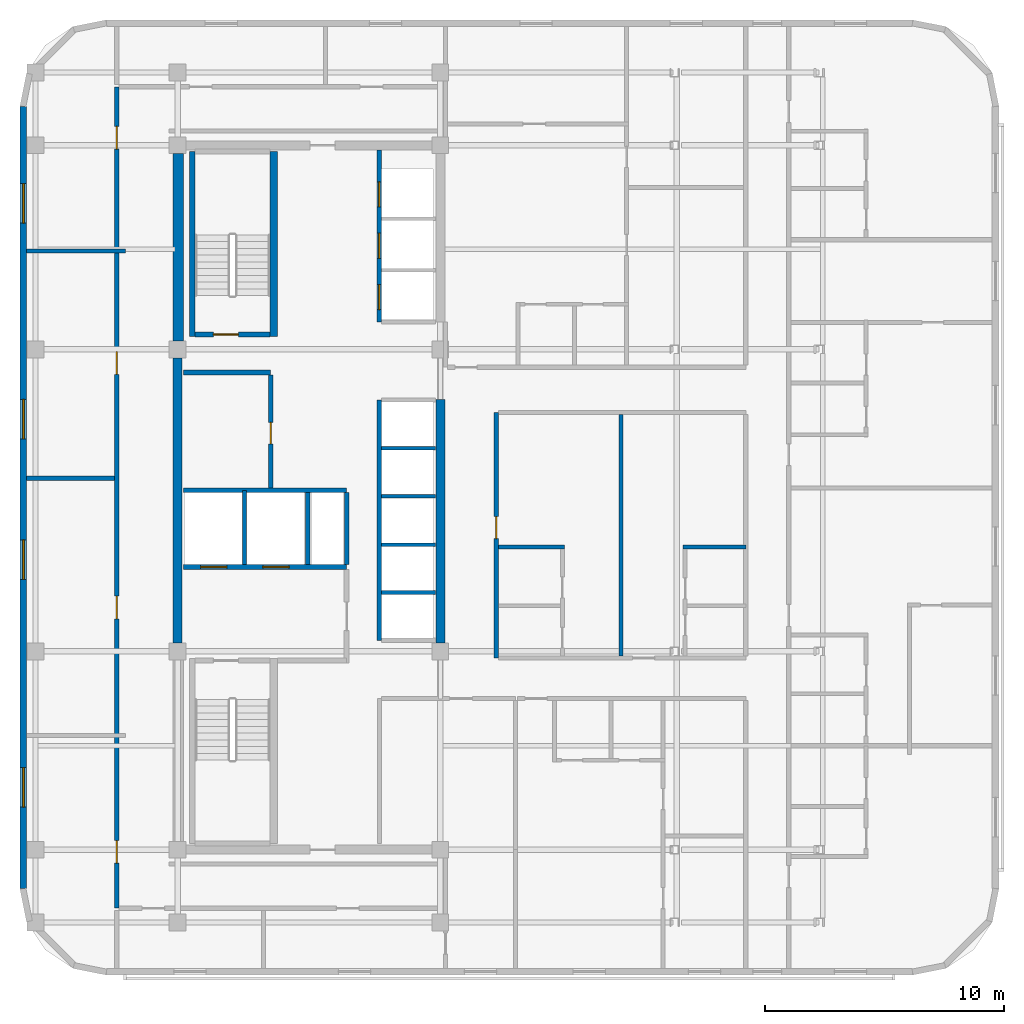
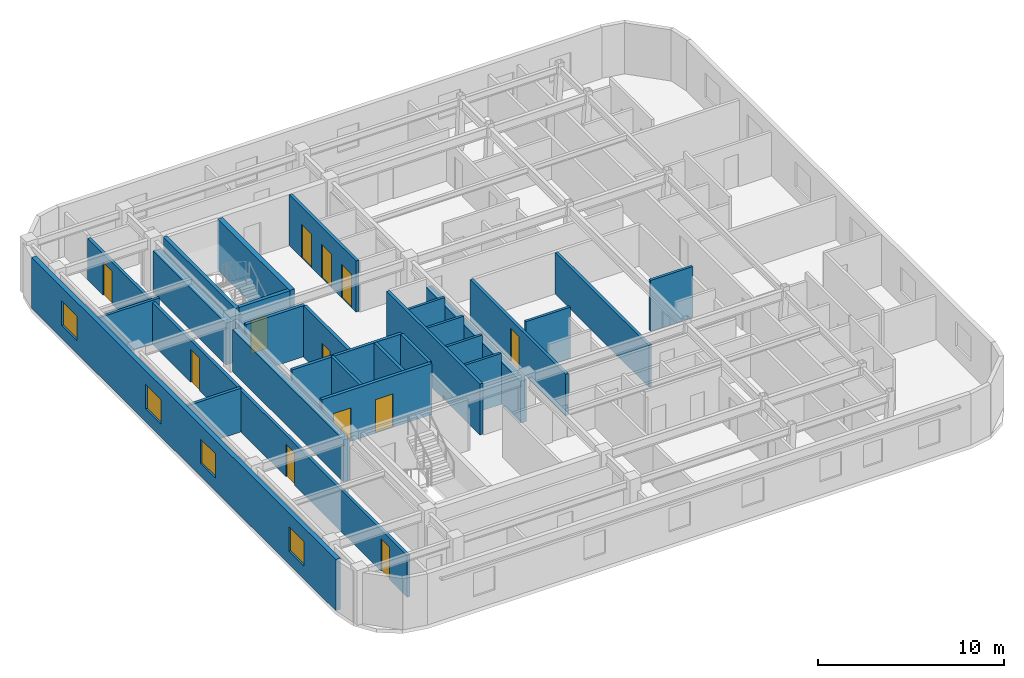
# One storey, part 4 of 10: 27 walls, 12 doors, 4 windows, 16 openings.
"""IFC4 building model written with IfcOpenShell, lengths in metres."""

from ifc_helpers import new_model, si_unit, direction, frame, frame_2d, origin, place, context, subcontext, project, spatial, rectangle, extrude, material, layer, layer_set, type_object, element, fill, save


model = new_model("IFC4")

# Units and contexts
model_context = context("Model", 3, precision=1e-05, world=origin(), true_north=direction((0.0, 1.0)))
body_context = subcontext(model_context, "Body", "Model", "MODEL_VIEW")
ifc_project = project(units=[si_unit("LENGTHUNIT", "METRE"), si_unit("AREAUNIT", "SQUARE_METRE"), si_unit("VOLUMEUNIT", "CUBIC_METRE"), si_unit("PLANEANGLEUNIT", "RADIAN"), si_unit("MASSUNIT", "GRAM", prefix="KILO")], contexts=[model_context])

# Site, building, storey
site_placement = place(None, origin())
site = spatial("IfcSite", under=ifc_project, at=site_placement, CompositionType="ELEMENT")
building_placement = place(site_placement, origin())
building = spatial("IfcBuilding", under=site, at=building_placement, Name="Ochreholt Gables", CompositionType="ELEMENT")
storey_placement = place(building_placement, frame((0.0, 0.0, 144.60009765625)))
storey = spatial("IfcBuildingStorey", under=building, at=storey_placement, Name="L37", CompositionType="ELEMENT", Elevation=144.60009765625)

# Walls
ifc_material_1 = material(Name="Concrete 50 MPa", Category="concrete")
ifc_layer_1 = layer(ifc_material_1, 0.3798828125, Name="Concrete 50 MPa")
ifc_layer_set_1 = layer_set([ifc_layer_1], Name="Concrete 50 MPa")
wall_type_1 = type_object("IfcWallType", Name="WALL-CSW-380", PredefinedType="SHEAR", material=ifc_layer_set_1)
wall_1_placement = place(storey_placement, frame((24.18994140625, 17.89990234375, 0.0), z_axis=(0.0, 0.0, 1.0), x_axis=(0.0, 1.0, 0.0)))
element("IfcWall", 1, at=wall_1_placement, inside=storey, type_object=wall_type_1, Name="L37 Core West Shear Wall WM", PredefinedType="SHEAR", context=body_context, shape_type="SweptSolid", body=[
    extrude(rectangle(XDim=11.9501953125, YDim=0.3798828125, at=frame_2d((5.97509765625, 0.0))), origin(), (0.0, 0.0, 1.0), 2.747802734375),
])
wall_2_placement = place(storey_placement, frame((35.2099609375, 17.89990234375, 0.0), z_axis=(0.0, 0.0, 1.0), x_axis=(0.0, 1.0, 0.0)))
element("IfcWall", 2, at=wall_2_placement, inside=storey, type_object=wall_type_1, Name="L37 Core Central-East Shear Wall", PredefinedType="SHEAR", context=body_context, shape_type="SweptSolid", body=[
    extrude(rectangle(XDim=10.2001953125, YDim=0.3798828125, at=frame_2d((5.10009765625, 0.0))), origin(), (0.0, 0.0, 1.0), 2.747802734375),
])
ifc_material_2 = material(Name="Concrete 60 MPa", Category="concrete")
ifc_layer_2 = layer(ifc_material_2, 0.449951171875, Name="Concrete 60 MPa")
ifc_layer_set_2 = layer_set([ifc_layer_2], Name="Concrete 60 MPa")
wall_type_2 = type_object("IfcWallType", Name="WALL-CSW-450", PredefinedType="SHEAR", material=ifc_layer_set_2)
wall_3_placement = place(storey_placement, frame((24.22509765625, 30.550048828125, 0.0), z_axis=(0.0, 0.0, 1.0), x_axis=(0.0, 1.0, 0.0)))
element("IfcWall", 3, at=wall_3_placement, inside=storey, type_object=wall_type_2, Name="L37 Core West Shear Wall WN", PredefinedType="SHEAR", context=body_context, shape_type="SweptSolid", body=[
    extrude(rectangle(XDim=7.849853515625, YDim=0.449951171875, at=frame_2d((3.9248046875, 0.0))), origin(), (0.0, 0.0, 1.0), 2.747802734375),
])

# Wall, openings, windows
ifc_material_3 = material(Name="Precast concrete 40 MPa", Category="concrete")
ifc_layer_3 = layer(ifc_material_3, 0.280029296875, Name="Precast concrete 40 MPa")
ifc_layer_set_3 = layer_set([ifc_layer_3], Name="Precast concrete 40 MPa")
wall_type_3 = type_object("IfcWallType", Name="WALL-EXT-280", PredefinedType="SOLIDWALL", material=ifc_layer_set_3)
wall_4_placement = place(storey_placement, frame((17.739990234375, 40.3798828125, 0.0), z_axis=(0.0, 0.0, 1.0), x_axis=(0.0, -1.0, 0.0)))
wall_4 = element("IfcWall", 4, at=wall_4_placement, inside=storey, type_object=wall_type_3, Name="L37 West Exterior Wall", PredefinedType="SOLIDWALL", context=body_context, shape_type="SweptSolid", body=[
    extrude(rectangle(XDim=32.759765625, YDim=0.280029296875, at=frame_2d((16.3798828125, 0.0))), origin(), (0.0, 0.0, 1.0), 3.35986328125),
])
opening_1_placement = place(wall_4_placement, frame((27.697509765625, 0.0, 0.85009765625)))
opening_1 = element("IfcOpeningElement", 5, at=opening_1_placement, cuts=wall_4, Name="Opening WN-7", PredefinedType="OPENING", context=body_context, shape_type="SweptSolid", body=[
    extrude(rectangle(XDim=1.64990234375, YDim=1.60009765625, at=frame_2d((0.824951171875, 0.800048828125))), frame((0.0, 0.14990234375, 0.0), z_axis=(0.0, -1.0, 0.0), x_axis=(1.0, 0.0, 0.0)), (0.0, 0.0, 1.0), 0.300048828125),
])
opening_2_placement = place(wall_4_placement, frame((18.159912109375, 0.0, 0.85009765625)))
opening_2 = element("IfcOpeningElement", 6, at=opening_2_placement, cuts=wall_4, Name="Opening WN-7", PredefinedType="OPENING", context=body_context, shape_type="SweptSolid", body=[
    extrude(rectangle(XDim=1.64990234375, YDim=1.60009765625, at=frame_2d((0.824951171875, 0.800048828125))), frame((0.0, 0.14990234375, 0.0), z_axis=(0.0, -1.0, 0.0), x_axis=(1.0, 0.0, 0.0)), (0.0, 0.0, 1.0), 0.300048828125),
])
opening_3_placement = place(wall_4_placement, frame((12.27490234375, 0.0, 0.85009765625)))
opening_3 = element("IfcOpeningElement", 7, at=opening_3_placement, cuts=wall_4, Name="Opening WN-7", PredefinedType="OPENING", context=body_context, shape_type="SweptSolid", body=[
    extrude(rectangle(XDim=1.64990234375, YDim=1.60009765625, at=frame_2d((0.824951171875, 0.800048828125))), frame((0.0, 0.14990234375, 0.0), z_axis=(0.0, -1.0, 0.0), x_axis=(1.0, 0.0, 0.0)), (0.0, 0.0, 1.0), 0.300048828125),
])
opening_4_placement = place(wall_4_placement, frame((3.237548828125, 0.0, 0.85009765625)))
opening_4 = element("IfcOpeningElement", 8, at=opening_4_placement, cuts=wall_4, Name="Opening WN-7", PredefinedType="OPENING", context=body_context, shape_type="SweptSolid", body=[
    extrude(rectangle(XDim=1.64990234375, YDim=1.60009765625, at=frame_2d((0.824951171875, 0.800048828125))), frame((0.0, 0.14990234375, 0.0), z_axis=(0.0, -1.0, 0.0), x_axis=(1.0, 0.0, 0.0)), (0.0, 0.0, 1.0), 0.300048828125),
])
ifc_material_4 = material(Name="Triple-Glazed Thermally Broken Aluminium Window", Category="aluminium")
window_type = type_object("IfcWindowType", Name="WIN-RES-1650", PartitioningType="SINGLE_PANEL", PredefinedType="WINDOW", material=ifc_material_4)
window_1_placement = place(opening_1_placement, origin())
window_1 = element("IfcWindow", 9, at=window_1_placement, inside=storey, type_object=window_type, Name="L37 Window W-EXT-W-L37-1", OverallHeight=1.60009765625, OverallWidth=1.64990234375, PartitioningType="SINGLE_PANEL", PredefinedType="WINDOW", context=body_context, shape_type="SweptSolid", body=[
    extrude(rectangle(XDim=1.64990234375, YDim=1.60009765625, at=frame_2d((0.824951171875, 0.800048828125))), frame((0.0, 0.030029296875, 0.0), z_axis=(0.0, -1.0, 0.0), x_axis=(1.0, 0.0, 0.0)), (0.0, 0.0, 1.0), 0.06005859375),
])
fill(opening_1, window_1)
window_2_placement = place(opening_2_placement, origin())
window_2 = element("IfcWindow", 10, at=window_2_placement, inside=storey, type_object=window_type, Name="L37 Window W-EXT-W-L37-2", OverallHeight=1.60009765625, OverallWidth=1.64990234375, PartitioningType="SINGLE_PANEL", PredefinedType="WINDOW", context=body_context, shape_type="SweptSolid", body=[
    extrude(rectangle(XDim=1.64990234375, YDim=1.60009765625, at=frame_2d((0.824951171875, 0.800048828125))), frame((0.0, 0.030029296875, 0.0), z_axis=(0.0, -1.0, 0.0), x_axis=(1.0, 0.0, 0.0)), (0.0, 0.0, 1.0), 0.06005859375),
])
fill(opening_2, window_2)
window_3_placement = place(opening_3_placement, origin())
window_3 = element("IfcWindow", 11, at=window_3_placement, inside=storey, type_object=window_type, Name="L37 Window W-EXT-W-L37-3", OverallHeight=1.60009765625, OverallWidth=1.64990234375, PartitioningType="SINGLE_PANEL", PredefinedType="WINDOW", context=body_context, shape_type="SweptSolid", body=[
    extrude(rectangle(XDim=1.64990234375, YDim=1.60009765625, at=frame_2d((0.824951171875, 0.800048828125))), frame((0.0, 0.030029296875, 0.0), z_axis=(0.0, -1.0, 0.0), x_axis=(1.0, 0.0, 0.0)), (0.0, 0.0, 1.0), 0.06005859375),
])
fill(opening_3, window_3)
window_4_placement = place(opening_4_placement, origin())
window_4 = element("IfcWindow", 12, at=window_4_placement, inside=storey, type_object=window_type, Name="L37 Window W-EXT-W-L37-4", OverallHeight=1.60009765625, OverallWidth=1.64990234375, PartitioningType="SINGLE_PANEL", PredefinedType="WINDOW", context=body_context, shape_type="SweptSolid", body=[
    extrude(rectangle(XDim=1.64990234375, YDim=1.60009765625, at=frame_2d((0.824951171875, 0.800048828125))), frame((0.0, 0.030029296875, 0.0), z_axis=(0.0, -1.0, 0.0), x_axis=(1.0, 0.0, 0.0)), (0.0, 0.0, 1.0), 0.06005859375),
])
fill(opening_4, window_4)

# Wall, openings, doors
ifc_material_5 = material(Name="Concrete 40 MPa", Category="concrete")
ifc_layer_4 = layer(ifc_material_5, 0.199951171875, Name="Concrete 40 MPa")
ifc_layer_set_4 = layer_set([ifc_layer_4], Name="Concrete 40 MPa")
wall_type_4 = type_object("IfcWallType", Name="WALL-INT-CF200", PredefinedType="STANDARD", material=ifc_layer_set_4)
wall_5_placement = place(storey_placement, frame((24.449951171875, 21.090087890625, 0.0), z_axis=(0.0, 0.0, 1.0), x_axis=(1.0, 0.0, 0.0)))
wall_5 = element("IfcWall", 13, at=wall_5_placement, inside=storey, type_object=wall_type_4, Name="L37 Interior Wall WI-FFN-L37", PredefinedType="STANDARD", context=body_context, shape_type="SweptSolid", body=[
    extrude(rectangle(XDim=6.830078125, YDim=0.199951171875, at=frame_2d((3.4150390625, 0.0))), origin(), (0.0, 0.0, 1.0), 3.35986328125),
])
opening_5_placement = place(wall_5_placement, frame((0.719970703125, 0.0, 0.0)))
opening_5 = element("IfcOpeningElement", 14, at=opening_5_placement, cuts=wall_5, Name="Opening LD-FF", PredefinedType="OPENING", context=body_context, shape_type="SweptSolid", body=[
    extrude(rectangle(XDim=1.10009765625, YDim=2.199951171875, at=frame_2d((0.550048828125, 1.10009765625))), frame((0.0, 0.10986328125, 0.0), z_axis=(0.0, -1.0, 0.0), x_axis=(1.0, 0.0, 0.0)), (0.0, 0.0, 1.0), 0.219970703125),
])
opening_6_placement = place(wall_5_placement, frame((3.320068359375, 0.0, 0.0)))
opening_6 = element("IfcOpeningElement", 15, at=opening_6_placement, cuts=wall_5, Name="Opening LD-FF", PredefinedType="OPENING", context=body_context, shape_type="SweptSolid", body=[
    extrude(rectangle(XDim=1.10009765625, YDim=2.199951171875, at=frame_2d((0.550048828125, 1.10009765625))), frame((0.0, 0.10986328125, 0.0), z_axis=(0.0, -1.0, 0.0), x_axis=(1.0, 0.0, 0.0)), (0.0, 0.0, 1.0), 0.219970703125),
])
ifc_material_6 = material(Name="Stainless Steel", Category="steel")
door_type_1 = type_object("IfcDoorType", Name="DR-LFT-FF1100", OperationType="NOTDEFINED", PredefinedType="DOOR", material=ifc_material_6)
door_1_placement = place(opening_5_placement, origin())
door_1 = element("IfcDoor", 16, at=door_1_placement, inside=storey, type_object=door_type_1, Name="L37 Door LD-FF1-L37", OperationType="SLIDING_TO_LEFT", OverallHeight=2.199951171875, OverallWidth=1.10009765625, PredefinedType="DOOR", context=body_context, shape_type="SweptSolid", body=[
    extrude(rectangle(XDim=1.10009765625, YDim=2.199951171875, at=frame_2d((0.550048828125, 1.10009765625))), frame((0.0, 0.02490234375, 0.0), z_axis=(0.0, -1.0, 0.0), x_axis=(1.0, 0.0, 0.0)), (0.0, 0.0, 1.0), 0.050048828125),
])
fill(opening_5, door_1)
door_2_placement = place(opening_6_placement, origin())
door_2 = element("IfcDoor", 17, at=door_2_placement, inside=storey, type_object=door_type_1, Name="L37 Door LD-FF2-L37", OperationType="SLIDING_TO_LEFT", OverallHeight=2.199951171875, OverallWidth=1.10009765625, PredefinedType="DOOR", context=body_context, shape_type="SweptSolid", body=[
    extrude(rectangle(XDim=1.10009765625, YDim=2.199951171875, at=frame_2d((0.550048828125, 1.10009765625))), frame((0.0, 0.02490234375, 0.0), z_axis=(0.0, -1.0, 0.0), x_axis=(1.0, 0.0, 0.0)), (0.0, 0.0, 1.0), 0.050048828125),
])
fill(opening_6, door_2)

# Wall
wall_6_placement = place(storey_placement, frame((24.449951171875, 29.239990234375, 0.0), z_axis=(0.0, 0.0, 1.0), x_axis=(1.0, 0.0, 0.0)))
element("IfcWall", 18, at=wall_6_placement, inside=storey, type_object=wall_type_4, Name="L37 Interior Wall WI-SRVN-L37", PredefinedType="STANDARD", context=body_context, shape_type="SweptSolid", body=[
    extrude(rectangle(XDim=3.650146484375, YDim=0.199951171875, at=frame_2d((1.8251953125, 0.0))), origin(), (0.0, 0.0, 1.0), 3.35986328125),
])

# Wall, opening, door
wall_7_placement = place(storey_placement, frame((28.10009765625, 24.389892578125, 0.0), z_axis=(0.0, 0.0, 1.0), x_axis=(0.0, 1.0, 0.0)))
wall_7 = element("IfcWall", 19, at=wall_7_placement, inside=storey, type_object=wall_type_4, Name="L37 Interior Wall WI-SRVE-L37", PredefinedType="STANDARD", context=body_context, shape_type="SweptSolid", body=[
    extrude(rectangle(XDim=4.75, YDim=0.199951171875, at=frame_2d((2.375, 0.0))), origin(), (0.0, 0.0, 1.0), 3.35986328125),
])
opening_7_placement = place(wall_7_placement, frame((1.860107421875, 0.0, 0.0)))
opening_7 = element("IfcOpeningElement", 20, at=opening_7_placement, cuts=wall_7, Name="Opening D-SV1", PredefinedType="OPENING", context=body_context, shape_type="SweptSolid", body=[
    extrude(rectangle(XDim=0.89990234375, YDim=2.10009765625, at=frame_2d((0.449951171875, 1.050048828125))), frame((0.0, 0.10986328125, 0.0), z_axis=(0.0, -1.0, 0.0), x_axis=(1.0, 0.0, 0.0)), (0.0, 0.0, 1.0), 0.219970703125),
])
ifc_material_7 = material(Name="Hollow Metal Steel", Category="steel")
door_type_2 = type_object("IfcDoorType", Name="DR-INT-SRV900", OperationType="NOTDEFINED", PredefinedType="DOOR", material=ifc_material_7)
door_3_placement = place(opening_7_placement, origin())
door_3 = element("IfcDoor", 21, at=door_3_placement, inside=storey, type_object=door_type_2, Name="L37 Door D-SRV1-L37", OperationType="SINGLE_SWING_LEFT", OverallHeight=2.10009765625, OverallWidth=0.89990234375, PredefinedType="DOOR", context=body_context, shape_type="SweptSolid", body=[
    extrude(rectangle(XDim=0.89990234375, YDim=2.10009765625, at=frame_2d((0.449951171875, 1.050048828125))), frame((0.0, 0.02490234375, 0.0), z_axis=(0.0, -1.0, 0.0), x_axis=(1.0, 0.0, 0.0)), (0.0, 0.0, 1.0), 0.050048828125),
])
fill(opening_7, door_3)

ifc_material_8 = material(Name="Fire-Rated Gypsum Acoustic Partition", Category="gypsum")
ifc_layer_5 = layer(ifc_material_8, 0.179931640625, Name="Fire-Rated Gypsum Acoustic Partition")
ifc_layer_set_5 = layer_set([ifc_layer_5], Name="Fire-Rated Gypsum Acoustic Partition")
wall_type_5 = type_object("IfcWallType", Name="WALL-INT-CR180", PredefinedType="STANDARD", material=ifc_layer_set_5)
wall_8_placement = place(storey_placement, frame((37.550048828125, 17.280029296875, 0.0), z_axis=(0.0, 0.0, 1.0), x_axis=(0.0, 1.0, 0.0)))
wall_8 = element("IfcWall", 22, at=wall_8_placement, inside=storey, type_object=wall_type_5, Name="L37 Interior Wall WI-C2EM-L37", PredefinedType="STANDARD", context=body_context, shape_type="SweptSolid", body=[
    extrude(rectangle(XDim=10.280029296875, YDim=0.179931640625, at=frame_2d((5.14013671875, 0.0))), origin(), (0.0, 0.0, 1.0), 2.72998046875),
])
opening_8_placement = place(wall_8_placement, frame((5.0, 0.0, 0.0)))
opening_8 = element("IfcOpeningElement", 23, at=opening_8_placement, cuts=wall_8, Name="Opening D-UN1", PredefinedType="OPENING", context=body_context, shape_type="SweptSolid", body=[
    extrude(rectangle(XDim=0.919921875, YDim=2.14990234375, at=frame_2d((0.4599609375, 1.074951171875))), frame((0.0, 0.099853515625, 0.0), z_axis=(0.0, -1.0, 0.0), x_axis=(1.0, 0.0, 0.0)), (0.0, 0.0, 1.0), 0.199951171875),
])
ifc_material_9 = material(Name="Engineered Oak Timber", Category="wood")
door_type_3 = type_object("IfcDoorType", Name="DR-INT-UNT920", OperationType="NOTDEFINED", PredefinedType="DOOR", material=ifc_material_9)
door_4_placement = place(opening_8_placement, origin())
door_4 = element("IfcDoor", 24, at=door_4_placement, inside=storey, type_object=door_type_3, Name="L37 Door D-U-L37M1-ENT", OperationType="SINGLE_SWING_RIGHT", OverallHeight=2.14990234375, OverallWidth=0.919921875, PredefinedType="DOOR", context=body_context, shape_type="SweptSolid", body=[
    extrude(rectangle(XDim=0.919921875, YDim=2.14990234375, at=frame_2d((0.4599609375, 1.074951171875))), frame((0.0, 0.02490234375, 0.0), z_axis=(0.0, -1.0, 0.0), x_axis=(1.0, 0.0, 0.0)), (0.0, 0.0, 1.0), 0.050048828125),
])
fill(opening_8, door_4)

# Wall, openings, doors
wall_9_placement = place(storey_placement, frame((21.64990234375, 6.800048828125, 0.0), z_axis=(0.0, 0.0, 1.0), x_axis=(0.0, 1.0, 0.0)))
wall_9 = element("IfcWall", 25, at=wall_9_placement, inside=storey, type_object=wall_type_5, Name="L37 Interior Wall WI-C2WCW-L37", PredefinedType="STANDARD", context=body_context, shape_type="SweptSolid", body=[
    extrude(rectangle(XDim=34.39990234375, YDim=0.179931640625, at=frame_2d((17.199951171875, 0.0))), origin(), (0.0, 0.0, 1.0), 2.72998046875),
])
opening_9_placement = place(wall_9_placement, frame((1.882568359375, 0.0, 0.0)))
opening_9 = element("IfcOpeningElement", 26, at=opening_9_placement, cuts=wall_9, Name="Opening D-GN1", PredefinedType="OPENING", context=body_context, shape_type="SweptSolid", body=[
    extrude(rectangle(XDim=0.949951171875, YDim=2.14990234375, at=frame_2d((0.47509765625, 1.074951171875))), frame((0.0, 0.099853515625, 0.0), z_axis=(0.0, -1.0, 0.0), x_axis=(1.0, 0.0, 0.0)), (0.0, 0.0, 1.0), 0.199951171875),
])
opening_10_placement = place(wall_9_placement, frame((12.117431640625, 0.0, 0.0)))
opening_10 = element("IfcOpeningElement", 27, at=opening_10_placement, cuts=wall_9, Name="Opening D-GN1", PredefinedType="OPENING", context=body_context, shape_type="SweptSolid", body=[
    extrude(rectangle(XDim=0.949951171875, YDim=2.14990234375, at=frame_2d((0.47509765625, 1.074951171875))), frame((0.0, 0.099853515625, 0.0), z_axis=(0.0, -1.0, 0.0), x_axis=(1.0, 0.0, 0.0)), (0.0, 0.0, 1.0), 0.199951171875),
])
opening_11_placement = place(wall_9_placement, frame((22.357421875, 0.0, 0.0)))
opening_11 = element("IfcOpeningElement", 28, at=opening_11_placement, cuts=wall_9, Name="Opening D-GN1", PredefinedType="OPENING", context=body_context, shape_type="SweptSolid", body=[
    extrude(rectangle(XDim=0.949951171875, YDim=2.14990234375, at=frame_2d((0.47509765625, 1.074951171875))), frame((0.0, 0.099853515625, 0.0), z_axis=(0.0, -1.0, 0.0), x_axis=(1.0, 0.0, 0.0)), (0.0, 0.0, 1.0), 0.199951171875),
])
opening_12_placement = place(wall_9_placement, frame((31.79248046875, 0.0, 0.0)))
opening_12 = element("IfcOpeningElement", 29, at=opening_12_placement, cuts=wall_9, Name="Opening D-GN1", PredefinedType="OPENING", context=body_context, shape_type="SweptSolid", body=[
    extrude(rectangle(XDim=0.949951171875, YDim=2.14990234375, at=frame_2d((0.47509765625, 1.074951171875))), frame((0.0, 0.099853515625, 0.0), z_axis=(0.0, -1.0, 0.0), x_axis=(1.0, 0.0, 0.0)), (0.0, 0.0, 1.0), 0.199951171875),
])
door_type_4 = type_object("IfcDoorType", Name="DR-INT-GEN950", OperationType="NOTDEFINED", PredefinedType="DOOR", material=ifc_material_9)
door_5_placement = place(opening_9_placement, origin())
door_5 = element("IfcDoor", 30, at=door_5_placement, inside=storey, type_object=door_type_4, Name="L37 Door D-U-L37W1A-ENT", OperationType="SINGLE_SWING_RIGHT", OverallHeight=2.14990234375, OverallWidth=0.949951171875, PredefinedType="DOOR", context=body_context, shape_type="SweptSolid", body=[
    extrude(rectangle(XDim=0.949951171875, YDim=2.14990234375, at=frame_2d((0.47509765625, 1.074951171875))), frame((0.0, 0.02490234375, 0.0), z_axis=(0.0, -1.0, 0.0), x_axis=(1.0, 0.0, 0.0)), (0.0, 0.0, 1.0), 0.050048828125),
])
fill(opening_9, door_5)
door_6_placement = place(opening_10_placement, origin())
door_6 = element("IfcDoor", 31, at=door_6_placement, inside=storey, type_object=door_type_4, Name="L37 Door D-U-L37W1B-ENT", OperationType="SINGLE_SWING_LEFT", OverallHeight=2.14990234375, OverallWidth=0.949951171875, PredefinedType="DOOR", context=body_context, shape_type="SweptSolid", body=[
    extrude(rectangle(XDim=0.949951171875, YDim=2.14990234375, at=frame_2d((0.47509765625, 1.074951171875))), frame((0.0, 0.02490234375, 0.0), z_axis=(0.0, -1.0, 0.0), x_axis=(1.0, 0.0, 0.0)), (0.0, 0.0, 1.0), 0.050048828125),
])
fill(opening_10, door_6)
door_7_placement = place(opening_11_placement, origin())
door_7 = element("IfcDoor", 32, at=door_7_placement, inside=storey, type_object=door_type_4, Name="L37 Door D-U-L37W2A-ENT", OperationType="SINGLE_SWING_LEFT", OverallHeight=2.14990234375, OverallWidth=0.949951171875, PredefinedType="DOOR", context=body_context, shape_type="SweptSolid", body=[
    extrude(rectangle(XDim=0.949951171875, YDim=2.14990234375, at=frame_2d((0.47509765625, 1.074951171875))), frame((0.0, 0.02490234375, 0.0), z_axis=(0.0, -1.0, 0.0), x_axis=(1.0, 0.0, 0.0)), (0.0, 0.0, 1.0), 0.050048828125),
])
fill(opening_11, door_7)
door_8_placement = place(opening_12_placement, origin())
door_8 = element("IfcDoor", 33, at=door_8_placement, inside=storey, type_object=door_type_4, Name="L37 Door D-U-L37W2B-ENT", OperationType="SINGLE_SWING_RIGHT", OverallHeight=2.14990234375, OverallWidth=0.949951171875, PredefinedType="DOOR", context=body_context, shape_type="SweptSolid", body=[
    extrude(rectangle(XDim=0.949951171875, YDim=2.14990234375, at=frame_2d((0.47509765625, 1.074951171875))), frame((0.0, 0.02490234375, 0.0), z_axis=(0.0, -1.0, 0.0), x_axis=(1.0, 0.0, 0.0)), (0.0, 0.0, 1.0), 0.050048828125),
])
fill(opening_12, door_8)

# Walls
ifc_material_10 = material(Name="Double-Stud Acoustic Demising Wall", Category="gypsum")
ifc_layer_6 = layer(ifc_material_10, 0.179931640625, Name="Double-Stud Acoustic Demising Wall")
ifc_layer_set_6 = layer_set([ifc_layer_6], Name="Double-Stud Acoustic Demising Wall")
wall_type_6 = type_object("IfcWallType", Name="WALL-INT-DM180", PredefinedType="PARTITIONING", material=ifc_layer_set_6)
wall_10_placement = place(storey_placement, frame((42.77490234375, 17.3701171875, 0.0), z_axis=(0.0, 0.0, 1.0), x_axis=(0.0, 1.0, 0.0)))
element("IfcWall", 34, at=wall_10_placement, inside=storey, type_object=wall_type_6, Name="L37 Interior Wall WI-C2UDM-L37", PredefinedType="PARTITIONING", context=body_context, shape_type="SweptSolid", body=[
    extrude(rectangle(XDim=10.099853515625, YDim=0.179931640625, at=frame_2d((5.0498046875, 0.0))), origin(), (0.0, 0.0, 1.0), 2.72998046875),
])
wall_11_placement = place(storey_placement, frame((17.8798828125, 24.800048828125, 0.0), z_axis=(0.0, 0.0, 1.0), x_axis=(1.0, 0.0, 0.0)))
element("IfcWall", 35, at=wall_11_placement, inside=storey, type_object=wall_type_6, Name="L37 Interior Wall WI-C2UDW2-L37", PredefinedType="PARTITIONING", context=body_context, shape_type="SweptSolid", body=[
    extrude(rectangle(XDim=3.68017578125, YDim=0.179931640625, at=frame_2d((1.840087890625, 0.0))), origin(), (0.0, 0.0, 1.0), 2.87890625),
])
ifc_material_11 = material(Name="Moisture-Resistant Plumbing Chase Wall", Category="gypsum")
ifc_layer_7 = layer(ifc_material_11, 0.159912109375, Name="Moisture-Resistant Plumbing Chase Wall")
ifc_layer_set_7 = layer_set([ifc_layer_7], Name="Moisture-Resistant Plumbing Chase Wall")
wall_type_7 = type_object("IfcWallType", Name="WALL-INT-PL160", PredefinedType="PLUMBINGWALL", material=ifc_layer_set_7)
wall_12_placement = place(storey_placement, frame((37.639892578125, 21.919921875, 0.0), z_axis=(0.0, 0.0, 1.0), x_axis=(1.0, 0.0, 0.0)))
element("IfcWall", 36, at=wall_12_placement, inside=storey, type_object=wall_type_7, Name="L37 Interior Wall WU-L37M1-WYN", PredefinedType="PLUMBINGWALL", context=body_context, shape_type="SweptSolid", body=[
    extrude(rectangle(XDim=2.758056640625, YDim=0.159912109375, at=frame_2d((1.37890625, 0.0))), origin(), (0.0, 0.0, 1.0), 3.35986328125),
])
wall_13_placement = place(storey_placement, frame((45.3798828125, 21.919921875, 0.0), z_axis=(0.0, 0.0, 1.0), x_axis=(1.0, 0.0, 0.0)))
element("IfcWall", 37, at=wall_13_placement, inside=storey, type_object=wall_type_7, Name="L37 Interior Wall WU-L37M2-FY", PredefinedType="PLUMBINGWALL", context=body_context, shape_type="SweptSolid", body=[
    extrude(rectangle(XDim=2.6201171875, YDim=0.159912109375, at=frame_2d((1.31005859375, 0.0))), origin(), (0.0, 0.0, 1.0), 3.35986328125),
])
ifc_material_12 = material(Name="Gypsum Acoustic Stud Partition", Category="gypsum")
ifc_layer_8 = layer(ifc_material_12, 0.1650390625, Name="Gypsum Acoustic Stud Partition")
ifc_layer_set_8 = layer_set([ifc_layer_8], Name="Gypsum Acoustic Stud Partition")
wall_type_8 = type_object("IfcWallType", Name="WALL-INT-PT165", PredefinedType="PARTITIONING", material=ifc_layer_set_8)
wall_14_placement = place(storey_placement, frame((17.8798828125, 34.324951171875, 0.0), z_axis=(0.0, 0.0, 1.0), x_axis=(1.0, 0.0, 0.0)))
element("IfcWall", 38, at=wall_14_placement, inside=storey, type_object=wall_type_8, Name="L37 Interior Wall WU-L37W2-SDV", PredefinedType="PARTITIONING", context=body_context, shape_type="SweptSolid", body=[
    extrude(rectangle(XDim=4.130126953125, YDim=0.1650390625, at=frame_2d((2.06494140625, 0.0))), origin(), (0.0, 0.0, 1.0), 2.87890625),
])
ifc_material_13 = material(Name="Gypsum Shaftliner and Steel Stud", Category="steel")
ifc_layer_9 = layer(ifc_material_13, 0.14990234375, Name="Gypsum Shaftliner and Steel Stud")
ifc_layer_set_9 = layer_set([ifc_layer_9], Name="Gypsum Shaftliner and Steel Stud")
wall_type_9 = type_object("IfcWallType", Name="WALL-INT-SH150", PredefinedType="STANDARD", material=ifc_layer_set_9)
for number, where, z_axis, x_axis, name in (
    (39, (32.739990234375, 20.02001953125, 0.0), (0.0, 0.0, 1.0), (1.0, 0.0, 0.0), "L37 Interior Wall WI-LFHE-DH1-L37"),
    (40, (32.739990234375, 22.02001953125, 0.0), (0.0, 0.0, 1.0), (1.0, 0.0, 0.0), "L37 Interior Wall WI-LFHE-DH2-L37"),
    (41, (32.739990234375, 24.050048828125, 0.0), (0.0, 0.0, 1.0), (1.0, 0.0, 0.0), "L37 Interior Wall WI-LFHE-DHE-L37"),
    (42, (32.739990234375, 26.070068359375, 0.0), (0.0, 0.0, 1.0), (1.0, 0.0, 0.0), "L37 Interior Wall WI-LFHE-DEX1-L37"),
):
    element("IfcWall", number, at=place(storey_placement, frame(where, z_axis=z_axis, x_axis=x_axis)), inside=storey, type_object=wall_type_9, Name=name, PredefinedType="STANDARD", context=body_context, shape_type="SweptSolid", body=[
        extrude(rectangle(XDim=2.260009765625, YDim=0.14990234375, at=frame_2d((1.1298828125, 0.0))), origin(), (0.0, 0.0, 1.0), 3.35986328125),
    ])
ifc_layer_10 = layer(ifc_material_13, 0.179931640625, Name="Gypsum Shaftliner and Steel Stud")
ifc_layer_set_10 = layer_set([ifc_layer_10], Name="Gypsum Shaftliner and Steel Stud")
wall_type_10 = type_object("IfcWallType", Name="WALL-INT-SH180", PredefinedType="STANDARD", material=ifc_layer_set_10)
wall_15_placement = place(storey_placement, frame((27.0, 21.18994140625, 0.0), z_axis=(0.0, 0.0, 1.0), x_axis=(0.0, 1.0, 0.0)))
element("IfcWall", 43, at=wall_15_placement, inside=storey, type_object=wall_type_10, Name="L37 Interior Wall WI-FFDIV-L37", PredefinedType="STANDARD", context=body_context, shape_type="SweptSolid", body=[
    extrude(rectangle(XDim=3.110107421875, YDim=0.179931640625, at=frame_2d((1.55517578125, 0.0))), origin(), (0.0, 0.0, 1.0), 3.35986328125),
])
wall_16_placement = place(storey_placement, frame((24.449951171875, 24.300048828125, 0.0), z_axis=(0.0, 0.0, 1.0), x_axis=(1.0, 0.0, 0.0)))
element("IfcWall", 44, at=wall_16_placement, inside=storey, type_object=wall_type_10, Name="L37 Interior Wall WI-FFBK-L37", PredefinedType="STANDARD", context=body_context, shape_type="SweptSolid", body=[
    extrude(rectangle(XDim=6.830078125, YDim=0.179931640625, at=frame_2d((3.4150390625, 0.0))), origin(), (0.0, 0.0, 1.0), 3.35986328125),
])
for number, where, z_axis, x_axis, name in (
    (45, (29.64990234375, 21.18994140625, 0.0), (0.0, 0.0, 1.0), (0.0, 1.0, 0.0), "L37 Interior Wall WI-FFSH-L37"),
    (46, (31.280029296875, 21.18994140625, 0.0), (0.0, 0.0, 1.0), (0.0, 1.0, 0.0), "L37 Interior Wall WI-RSE-L37"),
):
    element("IfcWall", number, at=place(storey_placement, frame(where, z_axis=z_axis, x_axis=x_axis)), inside=storey, type_object=wall_type_10, Name=name, PredefinedType="STANDARD", context=body_context, shape_type="SweptSolid", body=[
        extrude(rectangle(XDim=3.02001953125, YDim=0.179931640625, at=frame_2d((1.510009765625, 0.0))), origin(), (0.0, 0.0, 1.0), 3.35986328125),
    ])
wall_17_placement = place(storey_placement, frame((32.64990234375, 18.02001953125, 0.0), z_axis=(0.0, 0.0, 1.0), x_axis=(0.0, 1.0, 0.0)))
element("IfcWall", 47, at=wall_17_placement, inside=storey, type_object=wall_type_10, Name="L37 Interior Wall WI-LFHE-FR-L37", PredefinedType="STANDARD", context=body_context, shape_type="SweptSolid", body=[
    extrude(rectangle(XDim=10.06005859375, YDim=0.179931640625, at=frame_2d((5.030029296875, 0.0))), origin(), (0.0, 0.0, 1.0), 3.35986328125),
])

# Wall, openings, doors
wall_18_placement = place(storey_placement, frame((32.64990234375, 31.35009765625, 0.0), z_axis=(0.0, 0.0, 1.0), x_axis=(0.0, 1.0, 0.0)))
wall_18 = element("IfcWall", 48, at=wall_18_placement, inside=storey, type_object=wall_type_10, Name="L37 Interior Wall WI-LFM-FR-L37", PredefinedType="STANDARD", context=body_context, shape_type="SweptSolid", body=[
    extrude(rectangle(XDim=7.2099609375, YDim=0.179931640625, at=frame_2d((3.60498046875, 0.0))), origin(), (0.0, 0.0, 1.0), 3.35986328125),
])
opening_13_placement = place(wall_18_placement, frame((0.52001953125, 0.0, 0.0)))
opening_13 = element("IfcOpeningElement", 49, at=opening_13_placement, cuts=wall_18, Name="Opening LD-PX", PredefinedType="OPENING", context=body_context, shape_type="SweptSolid", body=[
    extrude(rectangle(XDim=1.050048828125, YDim=2.199951171875, at=frame_2d((0.52490234375, 1.10009765625))), frame((0.0, 0.099853515625, 0.0), z_axis=(0.0, -1.0, 0.0), x_axis=(1.0, 0.0, 0.0)), (0.0, 0.0, 1.0), 0.199951171875),
])
opening_14_placement = place(wall_18_placement, frame((2.669921875, 0.0, 0.0)))
opening_14 = element("IfcOpeningElement", 50, at=opening_14_placement, cuts=wall_18, Name="Opening LD-PX", PredefinedType="OPENING", context=body_context, shape_type="SweptSolid", body=[
    extrude(rectangle(XDim=1.050048828125, YDim=2.199951171875, at=frame_2d((0.52490234375, 1.10009765625))), frame((0.0, 0.099853515625, 0.0), z_axis=(0.0, -1.0, 0.0), x_axis=(1.0, 0.0, 0.0)), (0.0, 0.0, 1.0), 0.199951171875),
])
opening_15_placement = place(wall_18_placement, frame((4.820068359375, 0.0, 0.0)))
opening_15 = element("IfcOpeningElement", 51, at=opening_15_placement, cuts=wall_18, Name="Opening LD-PX", PredefinedType="OPENING", context=body_context, shape_type="SweptSolid", body=[
    extrude(rectangle(XDim=1.050048828125, YDim=2.199951171875, at=frame_2d((0.52490234375, 1.10009765625))), frame((0.0, 0.099853515625, 0.0), z_axis=(0.0, -1.0, 0.0), x_axis=(1.0, 0.0, 0.0)), (0.0, 0.0, 1.0), 0.199951171875),
])
door_type_5 = type_object("IfcDoorType", Name="DR-LFT-PX1050", OperationType="NOTDEFINED", PredefinedType="DOOR", material=ifc_material_6)
door_9_placement = place(opening_13_placement, origin())
door_9 = element("IfcDoor", 52, at=door_9_placement, inside=storey, type_object=door_type_5, Name="L37 Door LD-M1-L37", OperationType="SLIDING_TO_LEFT", OverallHeight=2.199951171875, OverallWidth=1.050048828125, PredefinedType="DOOR", context=body_context, shape_type="SweptSolid", body=[
    extrude(rectangle(XDim=1.050048828125, YDim=2.199951171875, at=frame_2d((0.52490234375, 1.10009765625))), frame((0.0, 0.02490234375, 0.0), z_axis=(0.0, -1.0, 0.0), x_axis=(1.0, 0.0, 0.0)), (0.0, 0.0, 1.0), 0.050048828125),
])
fill(opening_13, door_9)
door_10_placement = place(opening_14_placement, origin())
door_10 = element("IfcDoor", 53, at=door_10_placement, inside=storey, type_object=door_type_5, Name="L37 Door LD-M2-L37", OperationType="SLIDING_TO_LEFT", OverallHeight=2.199951171875, OverallWidth=1.050048828125, PredefinedType="DOOR", context=body_context, shape_type="SweptSolid", body=[
    extrude(rectangle(XDim=1.050048828125, YDim=2.199951171875, at=frame_2d((0.52490234375, 1.10009765625))), frame((0.0, 0.02490234375, 0.0), z_axis=(0.0, -1.0, 0.0), x_axis=(1.0, 0.0, 0.0)), (0.0, 0.0, 1.0), 0.050048828125),
])
fill(opening_14, door_10)
door_11_placement = place(opening_15_placement, origin())
door_11 = element("IfcDoor", 54, at=door_11_placement, inside=storey, type_object=door_type_5, Name="L37 Door LD-M3-L37", OperationType="SLIDING_TO_LEFT", OverallHeight=2.199951171875, OverallWidth=1.050048828125, PredefinedType="DOOR", context=body_context, shape_type="SweptSolid", body=[
    extrude(rectangle(XDim=1.050048828125, YDim=2.199951171875, at=frame_2d((0.52490234375, 1.10009765625))), frame((0.0, 0.02490234375, 0.0), z_axis=(0.0, -1.0, 0.0), x_axis=(1.0, 0.0, 0.0)), (0.0, 0.0, 1.0), 0.050048828125),
])
fill(opening_15, door_11)

# Walls
ifc_layer_11 = layer(ifc_material_2, 0.300048828125, Name="Concrete 60 MPa")
ifc_layer_set_11 = layer_set([ifc_layer_11], Name="Concrete 60 MPa")
wall_type_11 = type_object("IfcWallType", Name="WALL-SPN-300", PredefinedType="SHEAR", material=ifc_layer_set_11)
wall_19_placement = place(storey_placement, frame((28.22998046875, 30.739990234375, 0.0), z_axis=(0.0, 0.0, 1.0), x_axis=(0.0, 1.0, 0.0)))
element("IfcWall", 55, at=wall_19_placement, inside=storey, type_object=wall_type_11, Name="L37 Core North Spine Shear Wall", PredefinedType="SHEAR", context=body_context, shape_type="SweptSolid", body=[
    extrude(rectangle(XDim=7.760009765625, YDim=0.300048828125, at=frame_2d((3.8798828125, 0.0))), origin(), (0.0, 0.0, 1.0), 3.35986328125),
])
ifc_layer_12 = layer(ifc_material_1, 0.219970703125, Name="Concrete 50 MPa")
ifc_layer_set_12 = layer_set([ifc_layer_12], Name="Concrete 50 MPa")
wall_type_12 = type_object("IfcWallType", Name="WALL-STW-220", PredefinedType="SHEAR", material=ifc_layer_set_12)
wall_20_placement = place(storey_placement, frame((24.81005859375, 30.739990234375, 0.0), z_axis=(0.0, 0.0, 1.0), x_axis=(0.0, 1.0, 0.0)))
element("IfcWall", 56, at=wall_20_placement, inside=storey, type_object=wall_type_12, Name="L37 Exit Stair 2 West Wall", PredefinedType="SHEAR", context=body_context, shape_type="SweptSolid", body=[
    extrude(rectangle(XDim=7.760009765625, YDim=0.219970703125, at=frame_2d((3.8798828125, 0.0))), origin(), (0.0, 0.0, 1.0), 3.35986328125),
])

# Wall, opening, door
wall_21_placement = place(storey_placement, frame((24.919921875, 30.830078125, 0.0), z_axis=(0.0, 0.0, 1.0), x_axis=(1.0, 0.0, 0.0)))
wall_21 = element("IfcWall", 57, at=wall_21_placement, inside=storey, type_object=wall_type_12, Name="L37 Exit Stair 2 South Wall", PredefinedType="SHEAR", context=body_context, shape_type="SweptSolid", body=[
    extrude(rectangle(XDim=3.16015625, YDim=0.219970703125, at=frame_2d((1.580078125, 0.0))), origin(), (0.0, 0.0, 1.0), 3.35986328125),
])
opening_16_placement = place(wall_21_placement, frame((0.780029296875, 0.0, 0.0)))
opening_16 = element("IfcOpeningElement", 58, at=opening_16_placement, cuts=wall_21, Name="Opening D-STC", PredefinedType="OPENING", context=body_context, shape_type="SweptSolid", body=[
    extrude(rectangle(XDim=1.050048828125, YDim=2.14990234375, at=frame_2d((0.52490234375, 1.074951171875))), frame((0.0, 0.119873046875, 0.0), z_axis=(0.0, -1.0, 0.0), x_axis=(1.0, 0.0, 0.0)), (0.0, 0.0, 1.0), 0.239990234375),
])
door_type_6 = type_object("IfcDoorType", Name="DR-INT-ST1050", OperationType="NOTDEFINED", PredefinedType="DOOR", material=ifc_material_7)
door_12_placement = place(opening_16_placement, origin())
door_12 = element("IfcDoor", 59, at=door_12_placement, inside=storey, type_object=door_type_6, Name="L37 Door D-ST2-L37", OperationType="SINGLE_SWING_RIGHT", OverallHeight=2.14990234375, OverallWidth=1.050048828125, PredefinedType="DOOR", context=body_context, shape_type="SweptSolid", body=[
    extrude(rectangle(XDim=1.050048828125, YDim=2.14990234375, at=frame_2d((0.52490234375, 1.074951171875))), frame((0.0, 0.02490234375, 0.0), z_axis=(0.0, -1.0, 0.0), x_axis=(1.0, 0.0, 0.0)), (0.0, 0.0, 1.0), 0.050048828125),
])
fill(opening_16, door_12)

save(model, "model.ifc")
